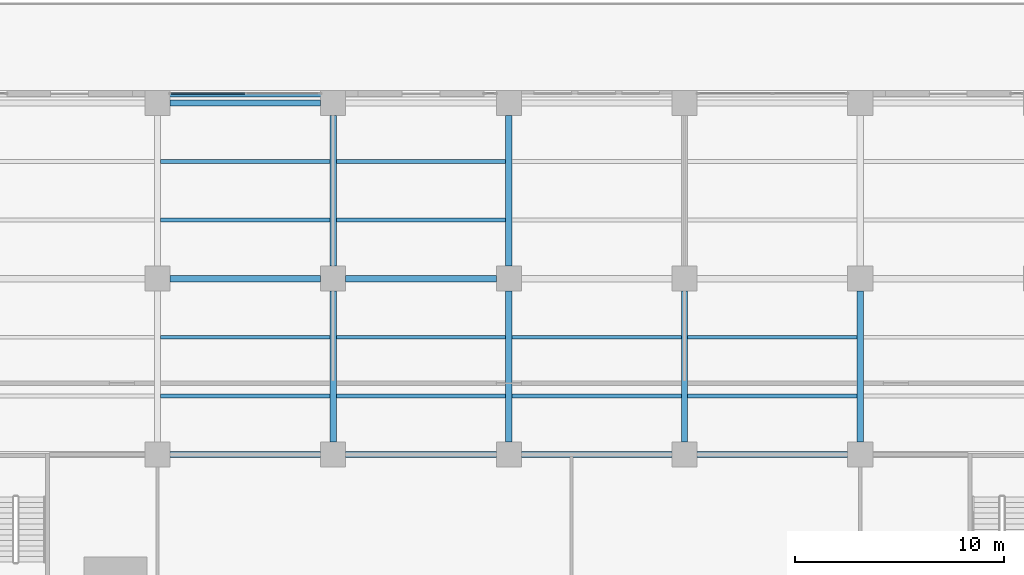
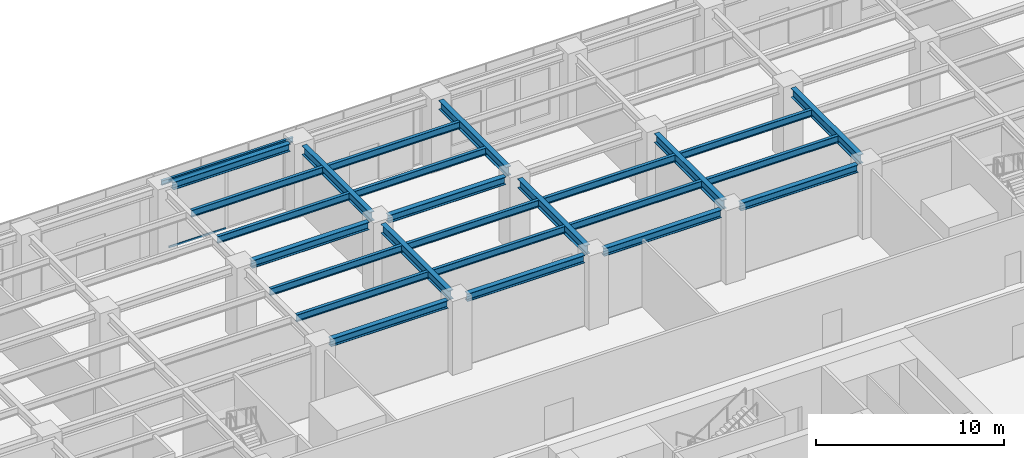
# One storey, part 13 of 53: 26 beams, 2 members, 1 element without a shape of its own.
"""IFC4 building model written with IfcOpenShell, lengths in metres."""

from ifc_helpers import new_model, si_unit, direction, frame, origin, origin_2d, place, context, subcontext, project, spatial, rectangle, i_section, extrude, material, material_profile, profile_set, type_object, element, aggregate, save


model = new_model("IFC4")

# Units and contexts
model_context = context("Model", 3, precision=1e-05, world=origin(), true_north=direction((0.0, 1.0)))
body_context = subcontext(model_context, "Body", "Model", "MODEL_VIEW")
ifc_project = project(units=[si_unit("LENGTHUNIT", "METRE"), si_unit("AREAUNIT", "SQUARE_METRE"), si_unit("VOLUMEUNIT", "CUBIC_METRE"), si_unit("PLANEANGLEUNIT", "RADIAN"), si_unit("MASSUNIT", "GRAM", prefix="KILO")], contexts=[model_context])

# Site, building, storey
site_placement = place(None, origin())
site = spatial("IfcSite", under=ifc_project, at=site_placement, CompositionType="ELEMENT")
building_placement = place(site_placement, origin())
building = spatial("IfcBuilding", under=site, at=building_placement, Name="Khepri Terraces", CompositionType="ELEMENT")
storey_placement = place(building_placement, frame((0.0, 0.0, 7.199951171875)))
storey = spatial("IfcBuildingStorey", under=building, at=storey_placement, Name="L01", CompositionType="ELEMENT", Elevation=7.199951171875)

# Curtain wall, members
ifc_material_1 = material(Name="Anodised aluminium bronze curtain wall", Category="aluminium")
curtain_wall_type = type_object("IfcCurtainWallType", Name="CW-SYS2-PODIUM", PredefinedType="NOTDEFINED", material=ifc_material_1)
curtain_wall_placement = place(storey_placement, origin())
curtain_wall = element("IfcCurtainWall", 1, at=curtain_wall_placement, inside=storey, type_object=curtain_wall_type, Name="Curtain wall CW2 L01 N", PredefinedType="NOTDEFINED")
ifc_material_2 = material(Name="Anodised aluminium bronze", Category="aluminium")
ifc_material_profile_1 = material_profile(ifc_material_2, rectangle(XDim=0.06005859375, YDim=0.1201171875, at=origin_2d()), Name="Anodised aluminium bronze", Category="aluminium")
ifc_profile_set_1 = profile_set([ifc_material_profile_1], Name="Anodised aluminium bronze")
member_type = type_object("IfcMemberType", Name="CW-TRANSOM-60x120", PredefinedType="USERDEFINED", material=ifc_profile_set_1)
member_1_placement = place(storey_placement, frame((-12.6298828125, 42.449951171875, 0.030029296875), z_axis=(-1.0, 0.0, 0.0), x_axis=(0.0, -1.0, 0.0)))
member_1 = element("IfcMember", 2, at=member_1_placement, type_object=member_type, Name="CW2 transom 2.1", ObjectType="TRANSOM", PredefinedType="USERDEFINED", context=body_context, shape_type="SweptSolid", body=[
    extrude(rectangle(XDim=0.06005859375, YDim=0.1201171875, at=origin_2d()), origin(), (0.0, 0.0, 1.0), 3.510009765625),
])
member_2_placement = place(storey_placement, frame((-12.6298828125, 42.449951171875, 4.35009765625), z_axis=(-1.0, 0.0, 0.0), x_axis=(0.0, -1.0, 0.0)))
member_2 = element("IfcMember", 3, at=member_2_placement, type_object=member_type, Name="CW2 transom 2.2", ObjectType="TRANSOM", PredefinedType="USERDEFINED", context=body_context, shape_type="SweptSolid", body=[
    extrude(rectangle(XDim=0.06005859375, YDim=0.1201171875, at=origin_2d()), origin(), (0.0, 0.0, 1.0), 3.510009765625),
])
aggregate(curtain_wall, [member_1, member_2])

# Beams
ifc_material_3 = material(Name="Steel S355", Category="steel")
ifc_material_profile_2 = material_profile(ifc_material_3, i_section(OverallWidth=0.14990234375, OverallDepth=0.300048828125, WebThickness=0.007080078125, FlangeThickness=0.0107421875, FilletRadius=0.014892578125, at=origin_2d()), Name="Steel S355", Category="steel")
ifc_profile_set_2 = profile_set([ifc_material_profile_2], Name="Steel S355")
beam_type_1 = type_object("IfcBeamType", Name="Podium edge beam L02 IPE 300", PredefinedType="SPANDREL", material=ifc_profile_set_2)
beam_1_placement = place(storey_placement, frame((-16.64990234375, 42.35009765625, 4.449951171875), z_axis=(1.0, 0.0, 0.0), x_axis=(0.0, 1.0, 0.0)))
element("IfcBeam", 4, at=beam_1_placement, inside=storey, type_object=beam_type_1, Name="Podium edge beam L02 014", PredefinedType="SPANDREL", context=body_context, shape_type="SweptSolid", body=[
    extrude(i_section(OverallWidth=0.14990234375, OverallDepth=0.300048828125, WebThickness=0.007080078125, FlangeThickness=0.0107421875, FilletRadius=0.014892578125, at=origin_2d()), origin(), (0.0, 0.0, 1.0), 8.099853515625),
])
ifc_material_profile_3 = material_profile(ifc_material_3, i_section(OverallWidth=0.300048828125, OverallDepth=0.60009765625, WebThickness=0.015380859375, FlangeThickness=0.030029296875, FilletRadius=0.027099609375, at=origin_2d()), Name="Steel S355", Category="steel")
ifc_profile_set_3 = profile_set([ifc_material_profile_3], Name="Steel S355")
beam_type_2 = type_object("IfcBeamType", Name="Podium girder L02 HEB 600", PredefinedType="BEAM", material=ifc_profile_set_3)
for number, where, z_axis, x_axis, name in (
    (5, (-8.39990234375, 25.800048828125, 4.300048828125), (0.0, 1.0, 0.0), (-1.0, 0.0, 0.0), "Podium girder L02 035"),
    (6, (-8.39990234375, 34.199951171875, 4.300048828125), (0.0, 1.0, 0.0), (-1.0, 0.0, 0.0), "Podium girder L02 036"),
    (7, (0.0, 25.800048828125, 4.300048828125), (0.0, 1.0, 0.0), (-1.0, 0.0, 0.0), "Podium girder L02 039"),
    (8, (0.0, 34.199951171875, 4.300048828125), (0.0, 1.0, 0.0), (-1.0, 0.0, 0.0), "Podium girder L02 040"),
    (9, (8.39990234375, 25.800048828125, 4.300048828125), (0.0, 1.0, 0.0), (-1.0, 0.0, 0.0), "Podium girder L02 043"),
    (10, (16.800048828125, 25.800048828125, 4.300048828125), (0.0, 1.0, 0.0), (-1.0, 0.0, 0.0), "Podium girder L02 047"),
):
    element("IfcBeam", number, at=place(storey_placement, frame(where, z_axis=z_axis, x_axis=x_axis)), inside=storey, type_object=beam_type_2, Name=name, PredefinedType="BEAM", context=body_context, shape_type="SweptSolid", body=[
        extrude(i_section(OverallWidth=0.300048828125, OverallDepth=0.60009765625, WebThickness=0.015380859375, FlangeThickness=0.030029296875, FilletRadius=0.027099609375, at=origin_2d()), origin(), (0.0, 0.0, 1.0), 7.199951171875),
    ])
ifc_material_profile_4 = material_profile(ifc_material_3, i_section(OverallWidth=0.300048828125, OverallDepth=0.5, WebThickness=0.014404296875, FlangeThickness=0.028076171875, FilletRadius=0.027099609375, at=origin_2d()), Name="Steel S355", Category="steel")
ifc_profile_set_4 = profile_set([ifc_material_profile_4], Name="Steel S355")
beam_type_3 = type_object("IfcBeamType", Name="Podium girder L02 grid line HEB 500", PredefinedType="BEAM", material=ifc_profile_set_4)
for number, where, z_axis, x_axis, name in (
    (11, (-16.199951171875, 25.199951171875, 4.35009765625), (1.0, 0.0, 0.0), (0.0, 1.0, 0.0), "Podium grid-line girder L02 139"),
    (12, (-7.800048828125, 25.199951171875, 4.35009765625), (1.0, 0.0, 0.0), (0.0, 1.0, 0.0), "Podium grid-line girder L02 140"),
    (13, (0.60009765625, 25.199951171875, 4.35009765625), (1.0, 0.0, 0.0), (0.0, 1.0, 0.0), "Podium grid-line girder L02 141"),
    (14, (9.0, 25.199951171875, 4.35009765625), (1.0, 0.0, 0.0), (0.0, 1.0, 0.0), "Podium grid-line girder L02 142"),
    (15, (-16.199951171875, 33.60009765625, 4.35009765625), (1.0, 0.0, 0.0), (0.0, 1.0, 0.0), "Podium grid-line girder L02 168"),
    (16, (-7.800048828125, 33.60009765625, 4.35009765625), (1.0, 0.0, 0.0), (0.0, 1.0, 0.0), "Podium grid-line girder L02 169"),
    (17, (-16.199951171875, 42.0, 4.35009765625), (1.0, 0.0, 0.0), (0.0, 1.0, 0.0), "Podium grid-line girder L02 198"),
):
    element("IfcBeam", number, at=place(storey_placement, frame(where, z_axis=z_axis, x_axis=x_axis)), inside=storey, type_object=beam_type_3, Name=name, PredefinedType="BEAM", context=body_context, shape_type="SweptSolid", body=[
        extrude(i_section(OverallWidth=0.300048828125, OverallDepth=0.5, WebThickness=0.014404296875, FlangeThickness=0.028076171875, FilletRadius=0.027099609375, at=origin_2d()), origin(), (0.0, 0.0, 1.0), 7.199951171875),
    ])
ifc_material_profile_5 = material_profile(ifc_material_3, i_section(OverallWidth=0.18994140625, OverallDepth=0.449951171875, WebThickness=0.009521484375, FlangeThickness=0.0146484375, FilletRadius=0.02099609375, at=origin_2d()), Name="Steel S355", Category="steel")
ifc_profile_set_5 = profile_set([ifc_material_profile_5], Name="Steel S355")
beam_type_4 = type_object("IfcBeamType", Name="Podium joist L02 IPE 450", PredefinedType="JOIST", material=ifc_profile_set_5)
beam_2_placement = place(storey_placement, frame((-16.64990234375, 28.0, 4.375), z_axis=(1.0, 0.0, 0.0), x_axis=(0.0, 1.0, 0.0)))
element("IfcBeam", 18, at=beam_2_placement, inside=storey, type_object=beam_type_4, Name="Podium joist L02 148", PredefinedType="JOIST", context=body_context, shape_type="SweptSolid", body=[
    extrude(i_section(OverallWidth=0.18994140625, OverallDepth=0.449951171875, WebThickness=0.009521484375, FlangeThickness=0.0146484375, FilletRadius=0.02099609375, at=origin_2d()), origin(), (0.0, 0.0, 1.0), 8.099853515625),
])
for number, where, z_axis, x_axis, name in (
    (19, (-8.25, 28.0, 4.375), (1.0, 0.0, 0.0), (0.0, 1.0, 0.0), "Podium joist L02 149"),
    (20, (0.14990234375, 28.0, 4.375), (1.0, 0.0, 0.0), (0.0, 1.0, 0.0), "Podium joist L02 150"),
):
    element("IfcBeam", number, at=place(storey_placement, frame(where, z_axis=z_axis, x_axis=x_axis)), inside=storey, type_object=beam_type_4, Name=name, PredefinedType="JOIST", context=body_context, shape_type="SweptSolid", body=[
        extrude(i_section(OverallWidth=0.18994140625, OverallDepth=0.449951171875, WebThickness=0.009521484375, FlangeThickness=0.0146484375, FilletRadius=0.02099609375, at=origin_2d()), origin(), (0.0, 0.0, 1.0), 8.10009765625),
    ])
for number, where, z_axis, x_axis, name in (
    (21, (8.550048828125, 28.0, 4.375), (1.0, 0.0, 0.0), (0.0, 1.0, 0.0), "Podium joist L02 151"),
    (22, (-16.64990234375, 30.800048828125, 4.375), (1.0, 0.0, 0.0), (0.0, 1.0, 0.0), "Podium joist L02 158"),
):
    element("IfcBeam", number, at=place(storey_placement, frame(where, z_axis=z_axis, x_axis=x_axis)), inside=storey, type_object=beam_type_4, Name=name, PredefinedType="JOIST", context=body_context, shape_type="SweptSolid", body=[
        extrude(i_section(OverallWidth=0.18994140625, OverallDepth=0.449951171875, WebThickness=0.009521484375, FlangeThickness=0.0146484375, FilletRadius=0.02099609375, at=origin_2d()), origin(), (0.0, 0.0, 1.0), 8.099853515625),
    ])
for number, where, z_axis, x_axis, name in (
    (23, (-8.25, 30.800048828125, 4.375), (1.0, 0.0, 0.0), (0.0, 1.0, 0.0), "Podium joist L02 159"),
    (24, (0.14990234375, 30.800048828125, 4.375), (1.0, 0.0, 0.0), (0.0, 1.0, 0.0), "Podium joist L02 160"),
):
    element("IfcBeam", number, at=place(storey_placement, frame(where, z_axis=z_axis, x_axis=x_axis)), inside=storey, type_object=beam_type_4, Name=name, PredefinedType="JOIST", context=body_context, shape_type="SweptSolid", body=[
        extrude(i_section(OverallWidth=0.18994140625, OverallDepth=0.449951171875, WebThickness=0.009521484375, FlangeThickness=0.0146484375, FilletRadius=0.02099609375, at=origin_2d()), origin(), (0.0, 0.0, 1.0), 8.10009765625),
    ])
for number, where, z_axis, x_axis, name in (
    (25, (8.550048828125, 30.800048828125, 4.375), (1.0, 0.0, 0.0), (0.0, 1.0, 0.0), "Podium joist L02 161"),
    (26, (-16.64990234375, 36.39990234375, 4.375), (1.0, 0.0, 0.0), (0.0, 1.0, 0.0), "Podium joist L02 178"),
):
    element("IfcBeam", number, at=place(storey_placement, frame(where, z_axis=z_axis, x_axis=x_axis)), inside=storey, type_object=beam_type_4, Name=name, PredefinedType="JOIST", context=body_context, shape_type="SweptSolid", body=[
        extrude(i_section(OverallWidth=0.18994140625, OverallDepth=0.449951171875, WebThickness=0.009521484375, FlangeThickness=0.0146484375, FilletRadius=0.02099609375, at=origin_2d()), origin(), (0.0, 0.0, 1.0), 8.099853515625),
    ])
beam_3_placement = place(storey_placement, frame((-8.25, 36.39990234375, 4.375), z_axis=(1.0, 0.0, 0.0), x_axis=(0.0, 1.0, 0.0)))
element("IfcBeam", 27, at=beam_3_placement, inside=storey, type_object=beam_type_4, Name="Podium joist L02 179", PredefinedType="JOIST", context=body_context, shape_type="SweptSolid", body=[
    extrude(i_section(OverallWidth=0.18994140625, OverallDepth=0.449951171875, WebThickness=0.009521484375, FlangeThickness=0.0146484375, FilletRadius=0.02099609375, at=origin_2d()), origin(), (0.0, 0.0, 1.0), 8.10009765625),
])
beam_4_placement = place(storey_placement, frame((-16.64990234375, 39.199951171875, 4.375), z_axis=(1.0, 0.0, 0.0), x_axis=(0.0, 1.0, 0.0)))
element("IfcBeam", 28, at=beam_4_placement, inside=storey, type_object=beam_type_4, Name="Podium joist L02 188", PredefinedType="JOIST", context=body_context, shape_type="SweptSolid", body=[
    extrude(i_section(OverallWidth=0.18994140625, OverallDepth=0.449951171875, WebThickness=0.009521484375, FlangeThickness=0.0146484375, FilletRadius=0.02099609375, at=origin_2d()), origin(), (0.0, 0.0, 1.0), 8.099853515625),
])
beam_5_placement = place(storey_placement, frame((-8.25, 39.199951171875, 4.375), z_axis=(1.0, 0.0, 0.0), x_axis=(0.0, 1.0, 0.0)))
element("IfcBeam", 29, at=beam_5_placement, inside=storey, type_object=beam_type_4, Name="Podium joist L02 189", PredefinedType="JOIST", context=body_context, shape_type="SweptSolid", body=[
    extrude(i_section(OverallWidth=0.18994140625, OverallDepth=0.449951171875, WebThickness=0.009521484375, FlangeThickness=0.0146484375, FilletRadius=0.02099609375, at=origin_2d()), origin(), (0.0, 0.0, 1.0), 8.10009765625),
])

save(model, "model.ifc")
